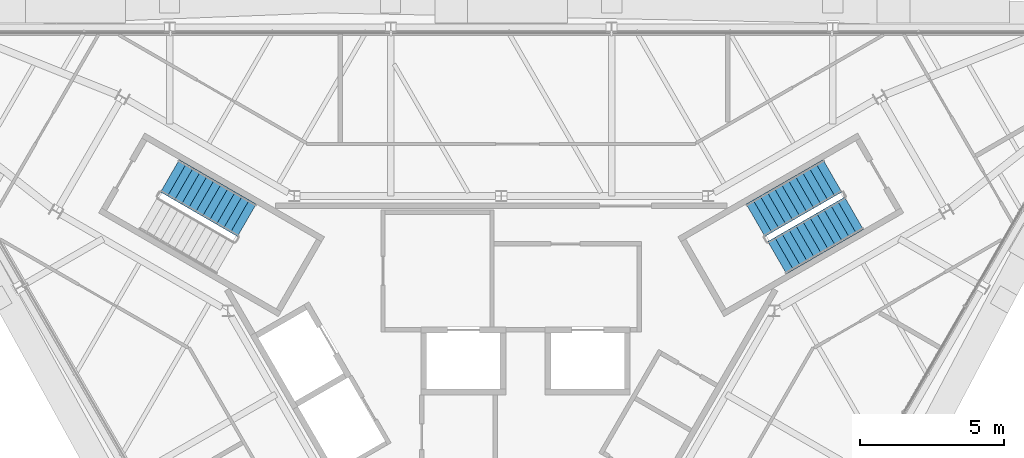
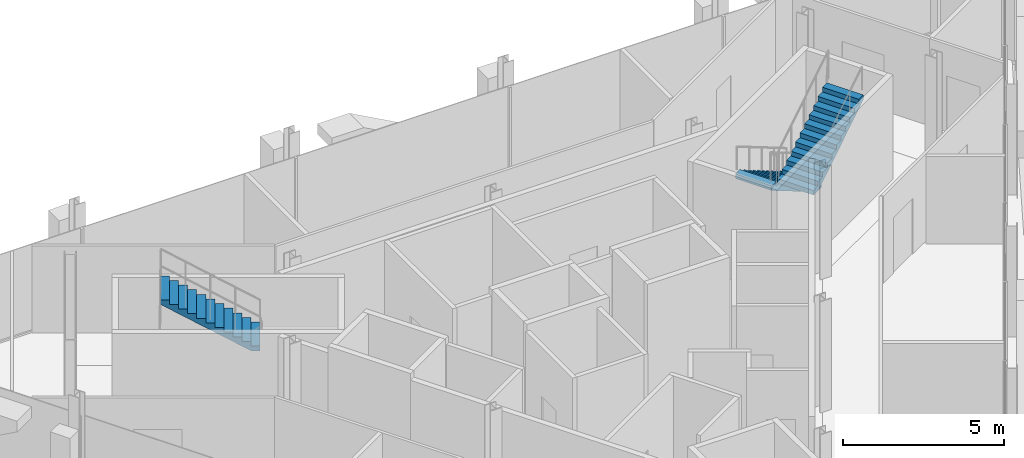
# One storey, part 11 of 13: 3 stair flights, 2 elements without a shape of their own.
"""IFC4 building model written with IfcOpenShell, lengths in metres."""

from ifc_helpers import new_model, si_unit, direction, frame, origin, place, context, subcontext, project, spatial, polyline, outline, extrude, material, type_object, element, aggregate, save


model = new_model("IFC4")

# Units and contexts
model_context = context("Model", 3, precision=1e-05, world=origin(), true_north=direction((0.0, 1.0)))
body_context = subcontext(model_context, "Body", "Model", "MODEL_VIEW")
ifc_project = project(units=[si_unit("LENGTHUNIT", "METRE"), si_unit("AREAUNIT", "SQUARE_METRE"), si_unit("VOLUMEUNIT", "CUBIC_METRE"), si_unit("PLANEANGLEUNIT", "RADIAN"), si_unit("MASSUNIT", "GRAM", prefix="KILO")], contexts=[model_context])

# Site, building, storey
site_placement = place(None, origin())
site = spatial("IfcSite", under=ifc_project, at=site_placement, CompositionType="ELEMENT")
building_placement = place(site_placement, origin())
building = spatial("IfcBuilding", under=site, at=building_placement, Name="Verrane Prism Tower", CompositionType="ELEMENT")
storey_placement = place(building_placement, frame((0.0, 0.0, 316.800048828125)))
storey = spatial("IfcBuildingStorey", under=building, at=storey_placement, Name="L80", CompositionType="ELEMENT", Elevation=316.800048828125)

# Stair, stair flights
ifc_material_1 = material(Name="Concrete C40/50", Category="concrete")
stair_type = type_object("IfcStairType", Name="Exit stair 1300 dog-leg precast concrete C40/50", PredefinedType="HALF_TURN_STAIR", material=ifc_material_1)
stair_1_placement = place(storey_placement, origin())
stair_1 = element("IfcStair", 1, at=stair_1_placement, inside=storey, type_object=stair_type, Name="Stair 1 L80", PredefinedType="HALF_TURN_STAIR")
ifc_material_2 = material(Name="Concrete C40/50", Category="concrete")
stair_flight_type = type_object("IfcStairFlightType", Name="Stair flight 1300 precast concrete C40/50", PredefinedType="STRAIGHT", material=ifc_material_2)
stair_flight_1_placement = place(storey_placement, frame((11.489501953125, 7.49951171875, 0.0), z_axis=(0.0, 0.0, 1.0), x_axis=(-0.866025403784, -0.5, 0.0)))
stair_flight_1 = element("IfcStairFlight", 2, at=stair_flight_1_placement, type_object=stair_flight_type, Name="Stair 1 flight 1", NumberOfRisers=12, NumberOfTreads=11, PredefinedType="STRAIGHT", RiserHeight=0.175, TreadLength=0.28, context=body_context, shape_type="SweptSolid", body=[
    extrude(outline(polyline([(0.0, 0.0), (0.0, 0.175048828125), (0.280029296875, 0.175048828125), (0.280029296875, 0.35009765625), (0.56005859375, 0.35009765625), (0.56005859375, 0.52490234375), (0.840087890625, 0.52490234375), (0.840087890625, 0.699951171875), (1.1201171875, 0.699951171875), (1.1201171875, 0.875), (1.39990234375, 0.875), (1.39990234375, 1.050048828125), (1.679931640625, 1.050048828125), (1.679931640625, 1.22509765625), (1.9599609375, 1.22509765625), (1.9599609375, 1.39990234375), (2.239990234375, 1.39990234375), (2.239990234375, 1.574951171875), (2.52001953125, 1.574951171875), (2.52001953125, 1.75), (2.800048828125, 1.75), (2.800048828125, 1.925048828125), (3.080078125, 1.925048828125), (3.080078125, 2.10009765625), (3.080078125, 1.748291015625), (0.28271484375, 0.0), (0.0, 0.0)])), frame((0.0, 0.64990234375, 0.0), z_axis=(0.0, -1.0, 0.0), x_axis=(1.0, 0.0, 0.0)), (0.0, 0.0, 1.0), 1.300048828125),
])
stair_flight_2_placement = place(storey_placement, frame((9.572265625, 4.660400390625, 2.099853515625), z_axis=(0.0, 0.0, 1.0), x_axis=(0.866025403784, 0.5, 0.0)))
stair_flight_2 = element("IfcStairFlight", 3, at=stair_flight_2_placement, type_object=stair_flight_type, Name="Stair 1 flight 2", NumberOfRisers=12, NumberOfTreads=11, PredefinedType="STRAIGHT", RiserHeight=0.175, TreadLength=0.28, context=body_context, shape_type="SweptSolid", body=[
    extrude(outline(polyline([(0.0, 0.0), (0.0, 0.175048828125), (0.280029296875, 0.175048828125), (0.280029296875, 0.35009765625), (0.56005859375, 0.35009765625), (0.56005859375, 0.52490234375), (0.840087890625, 0.52490234375), (0.840087890625, 0.699951171875), (1.1201171875, 0.699951171875), (1.1201171875, 0.875), (1.39990234375, 0.875), (1.39990234375, 1.050048828125), (1.679931640625, 1.050048828125), (1.679931640625, 1.22509765625), (1.9599609375, 1.22509765625), (1.9599609375, 1.39990234375), (2.239990234375, 1.39990234375), (2.239990234375, 1.574951171875), (2.52001953125, 1.574951171875), (2.52001953125, 1.75), (2.800048828125, 1.75), (2.800048828125, 1.925048828125), (3.080078125, 1.925048828125), (3.080078125, 2.10009765625), (3.080078125, 1.748291015625), (0.28271484375, 0.0), (0.0, 0.0)])), frame((0.0, 0.64990234375, 0.0), z_axis=(0.0, -1.0, 0.0), x_axis=(1.0, 0.0, 0.0)), (0.0, 0.0, 1.0), 1.300048828125),
])
aggregate(stair_1, [stair_flight_1, stair_flight_2])

# Stair, stair flight
stair_2_placement = place(storey_placement, origin())
stair_2 = element("IfcStair", 4, at=stair_2_placement, inside=storey, type_object=stair_type, Name="Stair 2 L80", PredefinedType="HALF_TURN_STAIR")
stair_flight_3_placement = place(storey_placement, frame((-8.822265625, 5.95947265625, 2.099853515625), z_axis=(0.0, 0.0, 1.0), x_axis=(-0.866025403784, 0.5, 0.0)))
stair_flight_3 = element("IfcStairFlight", 5, at=stair_flight_3_placement, type_object=stair_flight_type, Name="Stair 2 flight 2", NumberOfRisers=12, NumberOfTreads=11, PredefinedType="STRAIGHT", RiserHeight=0.175, TreadLength=0.28, context=body_context, shape_type="SweptSolid", body=[
    extrude(outline(polyline([(0.0, 0.0), (0.0, 0.175048828125), (0.280029296875, 0.175048828125), (0.280029296875, 0.35009765625), (0.56005859375, 0.35009765625), (0.56005859375, 0.52490234375), (0.840087890625, 0.52490234375), (0.840087890625, 0.699951171875), (1.1201171875, 0.699951171875), (1.1201171875, 0.875), (1.39990234375, 0.875), (1.39990234375, 1.050048828125), (1.679931640625, 1.050048828125), (1.679931640625, 1.22509765625), (1.9599609375, 1.22509765625), (1.9599609375, 1.39990234375), (2.239990234375, 1.39990234375), (2.239990234375, 1.574951171875), (2.52001953125, 1.574951171875), (2.52001953125, 1.75), (2.800048828125, 1.75), (2.800048828125, 1.925048828125), (3.080078125, 1.925048828125), (3.080078125, 2.10009765625), (3.080078125, 1.748291015625), (0.28271484375, 0.0), (0.0, 0.0)])), frame((0.0, 0.64990234375, 0.0), z_axis=(0.0, -1.0, 0.0), x_axis=(1.0, 0.0, 0.0)), (0.0, 0.0, 1.0), 1.300048828125),
])
aggregate(stair_2, [stair_flight_3])

save(model, "model.ifc")
